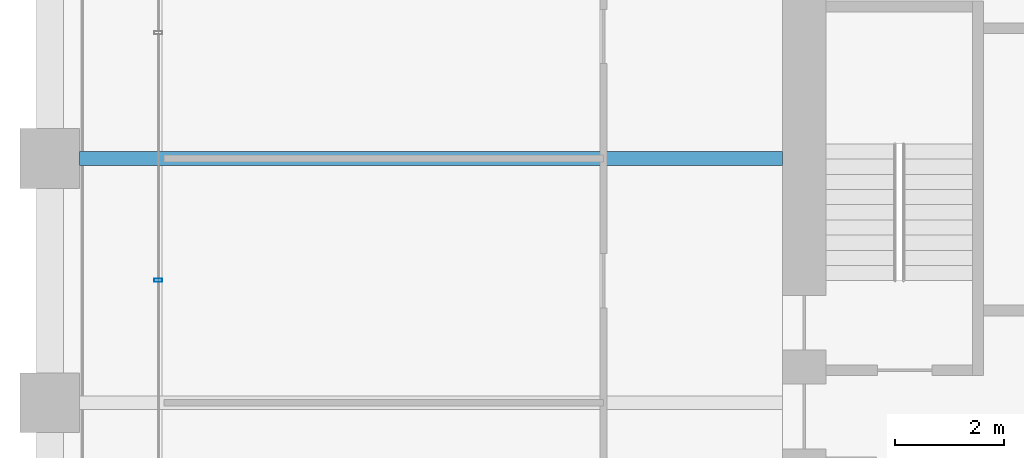
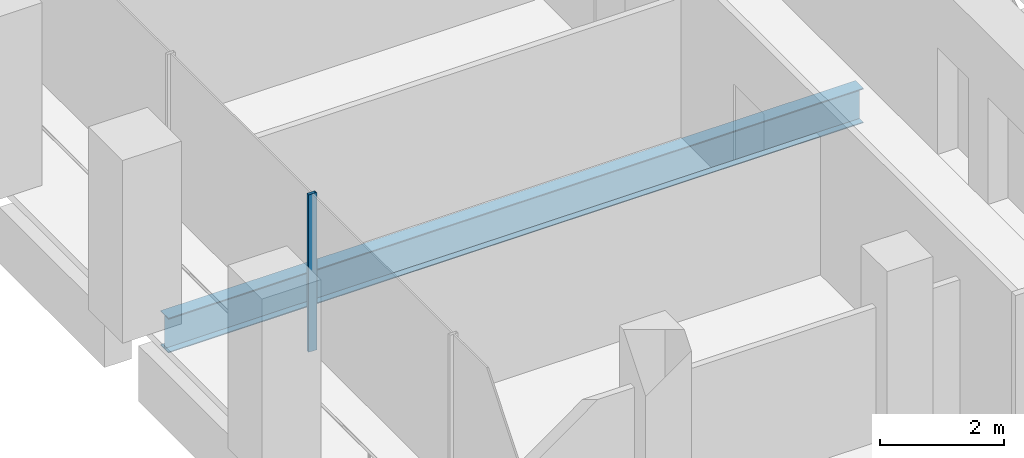
# One storey, part 11 of 56: 1 beam, 1 member, 1 element without a shape of its own.
"""IFC4 building model written with IfcOpenShell, lengths in metres."""

import ifcopenshell
import ifcopenshell.guid

model = None  # the IFC model being written
_history = None  # IfcOwnerHistory: only IFC2X3 demands one
_inside = {}  # id of a spatial element -> (the spatial element, [elements in it])
_under = {}  # id of a project, library or spatial element -> (it, [spatial elements below it])
_declared = {}  # id of a project -> (the project, [libraries it declares])
_typed = {}  # id of a type object -> (the type object, [elements of that type])
_made_of = {}  # id of a material, layer set ... -> (it, [elements and type objects made of it])


def new_model(schema):
    """Start an empty IFC model of exactly this schema.

    Asked for "IFC4X3", IfcOpenShell would pick the latest addendum, in which some entities
    have other attributes; the version numbers below select the first issue.
    IFC2X3 requires an IfcOwnerHistory on every rooted entity: one is made here for all.
    """
    global model, _history
    if schema == "IFC4X3":
        model = ifcopenshell.file(schema_version=(4, 3, 0, 0))
    else:
        model = ifcopenshell.file(schema=schema)
    _inside.clear()
    _under.clear()
    _declared.clear()
    _typed.clear()
    _made_of.clear()
    _history = None
    if model.schema == "IFC2X3":
        org = make("IfcOrganization", Name="unknown")
        user = make(
            "IfcPersonAndOrganization",
            ThePerson=make("IfcPerson", FamilyName="unknown"),
            TheOrganization=org,
        )
        app = make(
            "IfcApplication",
            ApplicationDeveloper=org,
            Version="unknown",
            ApplicationFullName="unknown",
            ApplicationIdentifier="unknown",
        )
        _history = make(
            "IfcOwnerHistory",
            OwningUser=user,
            OwningApplication=app,
            ChangeAction="ADDED",
            CreationDate=0,
        )
    return model


def make(cls, **values):
    """One entity of the class cls with the attributes given. An attribute that is None is left unset."""
    return model.create_entity(
        cls, **{name: value for name, value in values.items() if value is not None}
    )


def rooted(cls, **values):
    """An entity with a GlobalId (a new one), such as an element, a storey or a relation."""
    return make(cls, GlobalId=ifcopenshell.guid.new(), OwnerHistory=_history, **values)


def si_unit(unit_type, name, prefix=None):
    """IfcSIUnit, for example si_unit("LENGTHUNIT", "METRE", prefix="MILLI")."""
    return make("IfcSIUnit", UnitType=unit_type, Prefix=prefix, Name=name)


def assignment(units):
    """IfcUnitAssignment: the units of a project."""
    return None if units is None else make("IfcUnitAssignment", Units=units)


def point(xyz):
    """IfcCartesianPoint."""
    return None if xyz is None else make("IfcCartesianPoint", Coordinates=xyz)


def direction(xyz):
    """IfcDirection."""
    return None if xyz is None else make("IfcDirection", DirectionRatios=xyz)


def frame(location, z_axis=None, x_axis=None):
    """IfcAxis2Placement3D, a coordinate frame: its origin and axes. An axis left out is left unset."""
    return make(
        "IfcAxis2Placement3D",
        Location=point(location),
        Axis=direction(z_axis),
        RefDirection=direction(x_axis),
    )


def frame_2d(location, x_axis=None):
    """IfcAxis2Placement2D, a coordinate frame in the plane: its origin and x axis."""
    return make(
        "IfcAxis2Placement2D", Location=point(location), RefDirection=direction(x_axis)
    )


def origin():
    """The frame at (0, 0, 0) with its axes left unset."""
    return frame((0.0, 0.0, 0.0))


def origin_2d():
    """The frame at (0, 0) in the plane with its x axis left unset."""
    return frame_2d((0.0, 0.0))


def place(relative_to, where):
    """IfcLocalPlacement: puts the frame where relative to a parent placement (None: the world)."""
    return make(
        "IfcLocalPlacement", PlacementRelTo=relative_to, RelativePlacement=where
    )


def context(
    kind, dimensions, precision=None, world=None, true_north=None, identifier=None
):
    """IfcGeometricRepresentationContext, for example the 3D "Model" context."""
    return make(
        "IfcGeometricRepresentationContext",
        ContextIdentifier=identifier,
        ContextType=kind,
        CoordinateSpaceDimension=dimensions,
        Precision=precision,
        WorldCoordinateSystem=world,
        TrueNorth=true_north,
    )


def subcontext(parent, identifier, kind, view, scale=None):
    """IfcGeometricRepresentationSubContext, for example "Body" below "Model"."""
    return make(
        "IfcGeometricRepresentationSubContext",
        ContextIdentifier=identifier,
        ContextType=kind,
        ParentContext=parent,
        TargetScale=scale,
        TargetView=view,
    )


def project(units=None, contexts=None):
    """IfcProject with its units and contexts."""
    return rooted(
        "IfcProject",
        Name="project",
        RepresentationContexts=contexts,
        UnitsInContext=assignment(units),
    )


def spatial(cls, under=None, at=None, **own):
    """A site, building, storey or space (cls), placed at a placement, below another one or the project."""
    s = rooted(cls, ObjectPlacement=at, **own)
    if under is not None:
        _under.setdefault(under.id(), (under, []))[1].append(s)
    return s


def profile(cls, at=None, kind="AREA", **sizes):
    """A parametric profile (cls). Its sizes go by their IFC names, for example OverallWidth=200.0."""
    return make(cls, ProfileType=kind, Position=at, **sizes)


def hollow_rectangle(**sizes):
    """IfcRectangleHollowProfileDef."""
    return profile("IfcRectangleHollowProfileDef", **sizes)


def i_section(**sizes):
    """IfcIShapeProfileDef."""
    return profile("IfcIShapeProfileDef", **sizes)


def extrude(swept, where, along, depth):
    """IfcExtrudedAreaSolid: the profile swept, set in the frame where, extruded along a direction by depth."""
    return make(
        "IfcExtrudedAreaSolid",
        SweptArea=swept,
        Position=where,
        ExtrudedDirection=direction(along),
        Depth=depth,
    )


def shape(context_of_items, identifier, shape_type, items):
    """IfcShapeRepresentation: the items that make up one representation, for example the "Body"."""
    return make(
        "IfcShapeRepresentation",
        ContextOfItems=context_of_items,
        RepresentationIdentifier=identifier,
        RepresentationType=shape_type,
        Items=items,
    )


def material(Name=None, Category=None):
    """IfcMaterial."""
    return make("IfcMaterial", Name=Name, Category=Category)


def material_profile(
    of_material, cross_section, Name=None, Category=None, Priority=None
):
    """IfcMaterialProfile: a cross section and its material."""
    return make(
        "IfcMaterialProfile",
        Name=Name,
        Material=of_material,
        Profile=cross_section,
        Priority=Priority,
        Category=Category,
    )


def profile_set(profiles, Name=None, composite=None):
    """IfcMaterialProfileSet."""
    return make(
        "IfcMaterialProfileSet",
        Name=Name,
        MaterialProfiles=profiles,
        CompositeProfile=composite,
    )


def made_of(thing, what):
    """Note that an element or type object is made of a material, layer set ...; save() writes the relation."""
    if what is not None:
        _made_of.setdefault(what.id(), (what, []))[1].append(thing)
    return thing


def type_object(cls, material=None, **own):
    """A type object (cls), such as IfcWallType, which elements share."""
    return made_of(rooted(cls, **own), material)


def element(
    cls,
    number,
    at=None,
    inside=None,
    cuts=None,
    type_object=None,
    material=None,
    context=None,
    identifier="Body",
    shape_type=None,
    held_by="IfcProductDefinitionShape",
    body=None,
    shapes=None,
    **own,
):
    """One element of the class cls, such as IfcWall. Its Tag is "e" and its number.

    at: its placement. inside: the storey or other place that contains it. cuts: it is an
    opening in that element (IfcRelVoidsElement). A single representation is given by context,
    identifier, shape_type and body (its items); several are given by shapes. held_by: the class
    of the entity that holds the representations. save() writes the other relations.
    """
    e = rooted(cls, Tag="e%d" % number, ObjectPlacement=at, **own)
    if body is not None:
        shapes = [shape(context, identifier, shape_type, body)]
    if shapes is not None:
        e.Representation = make(held_by, Representations=shapes)
    if inside is not None:
        _inside.setdefault(inside.id(), (inside, []))[1].append(e)
    if cuts is not None:
        rooted(
            "IfcRelVoidsElement", RelatingBuildingElement=cuts, RelatedOpeningElement=e
        )
    if type_object is not None:
        _typed.setdefault(type_object.id(), (type_object, []))[1].append(e)
    return made_of(e, material)


def aggregate(whole, parts):
    """IfcRelAggregates: a whole, such as a stair, and the parts it consists of."""
    return rooted("IfcRelAggregates", RelatingObject=whole, RelatedObjects=parts)


def save(model, path):
    """Write the relations noted so far, then the file.

    IfcRelAggregates (storeys below a building ...), IfcRelContainedInSpatialStructure (elements
    in a storey), IfcRelDefinesByType, IfcRelAssociatesMaterial and IfcRelDeclares: one each for
    every whole, place, type object, material and project.
    """
    for whole, parts in _under.values():
        aggregate(whole, parts)
    for where, things in _inside.values():
        rooted(
            "IfcRelContainedInSpatialStructure",
            RelatedElements=things,
            RelatingStructure=where,
        )
    for kind, things in _typed.values():
        rooted("IfcRelDefinesByType", RelatedObjects=things, RelatingType=kind)
    for what, things in _made_of.values():
        rooted("IfcRelAssociatesMaterial", RelatedObjects=things, RelatingMaterial=what)
    for by, libraries in _declared.values():
        rooted("IfcRelDeclares", RelatingContext=by, RelatedDefinitions=libraries)
    model.write(path)


model = new_model("IFC4")

# Units and contexts
model_context = context("Model", 3, precision=1e-05, world=origin(), true_north=direction((0.0, 1.0)))
body_context = subcontext(model_context, "Body", "Model", "MODEL_VIEW")
ifc_project = project(units=[si_unit("LENGTHUNIT", "METRE"), si_unit("AREAUNIT", "SQUARE_METRE"), si_unit("VOLUMEUNIT", "CUBIC_METRE"), si_unit("PLANEANGLEUNIT", "RADIAN"), si_unit("MASSUNIT", "GRAM", prefix="KILO")], contexts=[model_context])

# Site, building, storey
site_placement = place(None, origin())
site = spatial("IfcSite", under=ifc_project, at=site_placement, CompositionType="ELEMENT")
building_placement = place(site_placement, origin())
building = spatial("IfcBuilding", under=site, at=building_placement, Name="Altepetl Exchange Towers", CompositionType="ELEMENT")
storey_placement = place(building_placement, frame((0.0, 0.0, 72.60009765625)))
storey = spatial("IfcBuildingStorey", under=building, at=storey_placement, Name="L17", CompositionType="ELEMENT", Elevation=72.60009765625)

# Beam
ifc_material_1 = material(Name="Steel S355", Category="steel")
ifc_material_profile_1 = material_profile(ifc_material_1, i_section(OverallWidth=0.25390625, OverallDepth=0.68408203125, WebThickness=0.012451171875, FlangeThickness=0.018798828125, at=origin_2d()), Name="W27X94")
ifc_profile_set_1 = profile_set([ifc_material_profile_1], Name="Steel S355")
beam_type = type_object("IfcBeamType", Name="Floor beam W27X94", PredefinedType="BEAM", material=ifc_profile_set_1)
beam_placement = place(storey_placement, frame((27.550048828125, 49.5, -0.4921875), z_axis=(1.0, 0.0, 0.0), x_axis=(0.0, 1.0, 0.0)))
element("IfcBeam", 1, at=beam_placement, inside=storey, type_object=beam_type, Name="bm:A:L17:019", PredefinedType="BEAM", context=body_context, shape_type="SweptSolid", body=[
    extrude(i_section(OverallWidth=0.25390625, OverallDepth=0.68408203125, WebThickness=0.012451171875, FlangeThickness=0.018798828125, at=origin_2d()), origin(), (0.0, 0.0, 1.0), 12.949951171875),
])

# Curtain wall, member
ifc_material_2 = material(Name="Aluminium 6063-T6 glazing", Category="aluminium")
curtain_wall_type = type_object("IfcCurtainWallType", Name="Loggia glazing system", PredefinedType="NOTDEFINED", material=ifc_material_2)
curtain_wall_placement = place(storey_placement, origin())
curtain_wall = element("IfcCurtainWall", 2, at=curtain_wall_placement, inside=storey, type_object=curtain_wall_type, Name="CW1 run", PredefinedType="NOTDEFINED")
ifc_material_3 = material(Name="Aluminium 6063-T6", Category="aluminium")
ifc_material_profile_2 = material_profile(ifc_material_3, hollow_rectangle(XDim=0.06005859375, YDim=0.14990234375, WallThickness=0.0029296875, at=origin_2d()), Name="Mullion 60x150 aluminium")
ifc_profile_set_2 = profile_set([ifc_material_profile_2], Name="Aluminium 6063-T6")
member_type = type_object("IfcMemberType", Name="Mullion 60x150 aluminium", PredefinedType="MULLION", material=ifc_profile_set_2)
member_placement = place(storey_placement, frame((29.0, 47.257080078125, 0.0), z_axis=(0.0, 0.0, 1.0), x_axis=(0.0, -1.0, 0.0)))
member = element("IfcMember", 3, at=member_placement, type_object=member_type, Name="MU1 mullion", PredefinedType="MULLION", context=body_context, shape_type="SweptSolid", body=[
    extrude(hollow_rectangle(XDim=0.06005859375, YDim=0.14990234375, WallThickness=0.0029296875, at=origin_2d()), origin(), (0.0, 0.0, 1.0), 3.099853515625),
])
aggregate(curtain_wall, [member])

save(model, "model.ifc")
